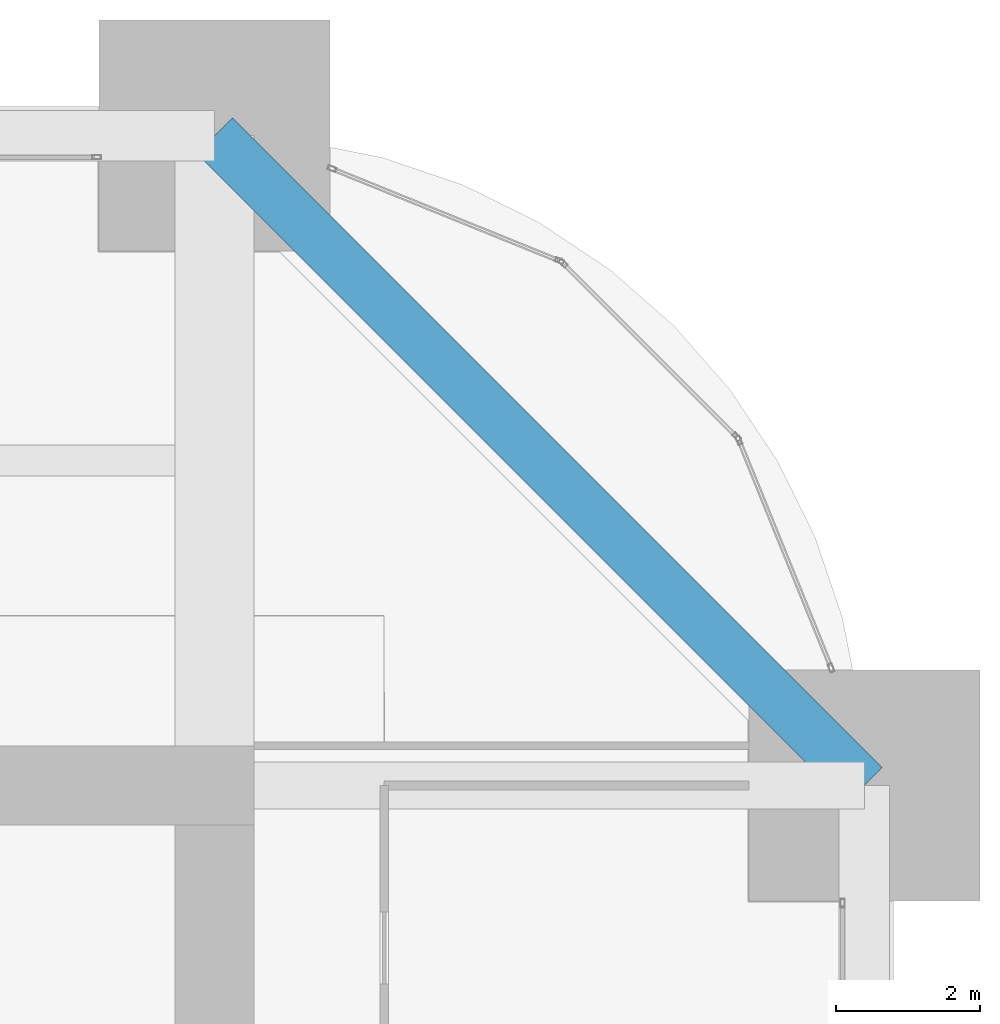
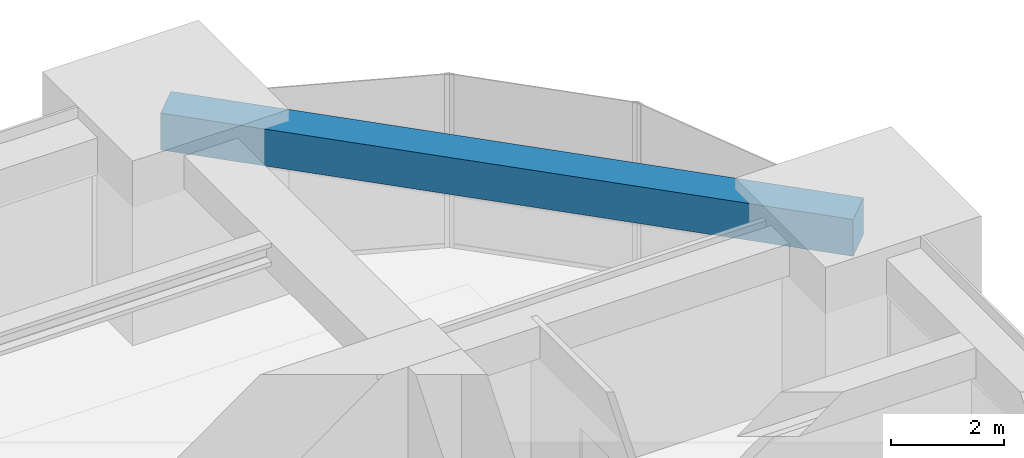
# One storey, part 37 of 43: 1 beam.
"""IFC4 building model written with IfcOpenShell, lengths in metres."""

from ifc_helpers import new_model, si_unit, direction, frame, origin, origin_2d, place, context, subcontext, project, spatial, rectangle, extrude, material, material_profile, profile_set, type_object, element, save


model = new_model("IFC4")

# Units and contexts
model_context = context("Model", 3, precision=1e-05, world=origin(), true_north=direction((0.0, 1.0)))
body_context = subcontext(model_context, "Body", "Model", "MODEL_VIEW")
ifc_project = project(units=[si_unit("LENGTHUNIT", "METRE"), si_unit("AREAUNIT", "SQUARE_METRE"), si_unit("VOLUMEUNIT", "CUBIC_METRE"), si_unit("PLANEANGLEUNIT", "RADIAN"), si_unit("MASSUNIT", "GRAM", prefix="KILO")], contexts=[model_context])

# Site, building, storey
site_placement = place(None, origin())
site = spatial("IfcSite", under=ifc_project, at=site_placement, CompositionType="ELEMENT")
building_placement = place(site_placement, origin())
building = spatial("IfcBuilding", under=site, at=building_placement, Name="Zorevar Civic Tower", CompositionType="ELEMENT")
storey_placement = place(building_placement, frame((0.0, 0.0, 243.39990234375)))
storey = spatial("IfcBuildingStorey", under=building, at=storey_placement, Name="L59", CompositionType="ELEMENT", Elevation=243.39990234375)

# Beam
ifc_material = material(Name="Concrete C50/60", Category="concrete")
ifc_material_profile = material_profile(ifc_material, rectangle(XDim=0.699951171875, YDim=0.800048828125, at=origin_2d()), Name="RC 700x800")
ifc_profile_set = profile_set([ifc_material_profile], Name="Concrete C50/60")
beam_type = type_object("IfcBeamType", Name="Edge beam RC 700x800", PredefinedType="SPANDREL", material=ifc_profile_set)
beam_placement = place(storey_placement, frame((54.0, 36.0, 3.35009765625), z_axis=(-0.707106781187, 0.707106781187, 0.0), x_axis=(-0.707106781187, -0.707106781187, 0.0)))
element("IfcBeam", 1, at=beam_placement, inside=storey, type_object=beam_type, Name="Corner edge beam L60", PredefinedType="SPANDREL", context=body_context, shape_type="SweptSolid", body=[
    extrude(rectangle(XDim=0.699951171875, YDim=0.800048828125, at=origin_2d()), origin(), (0.0, 0.0, 1.0), 12.72802734375),
])

save(model, "model.ifc")
